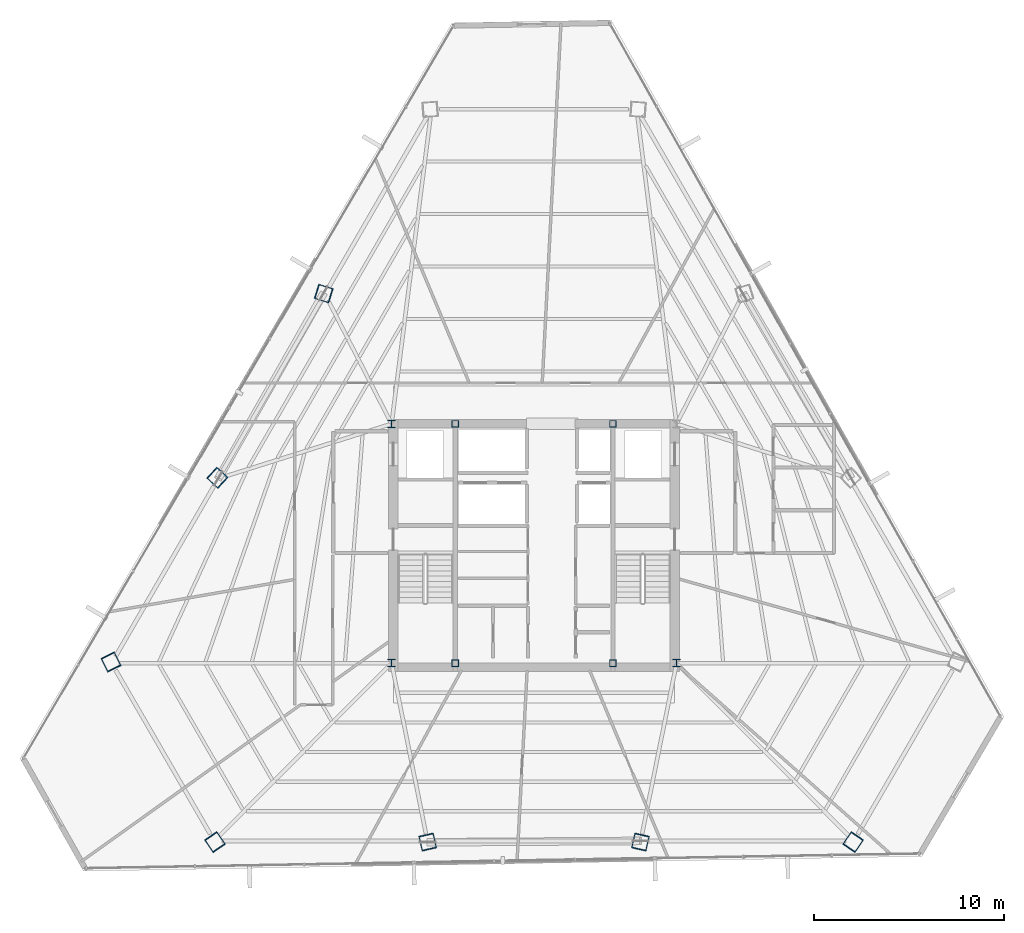
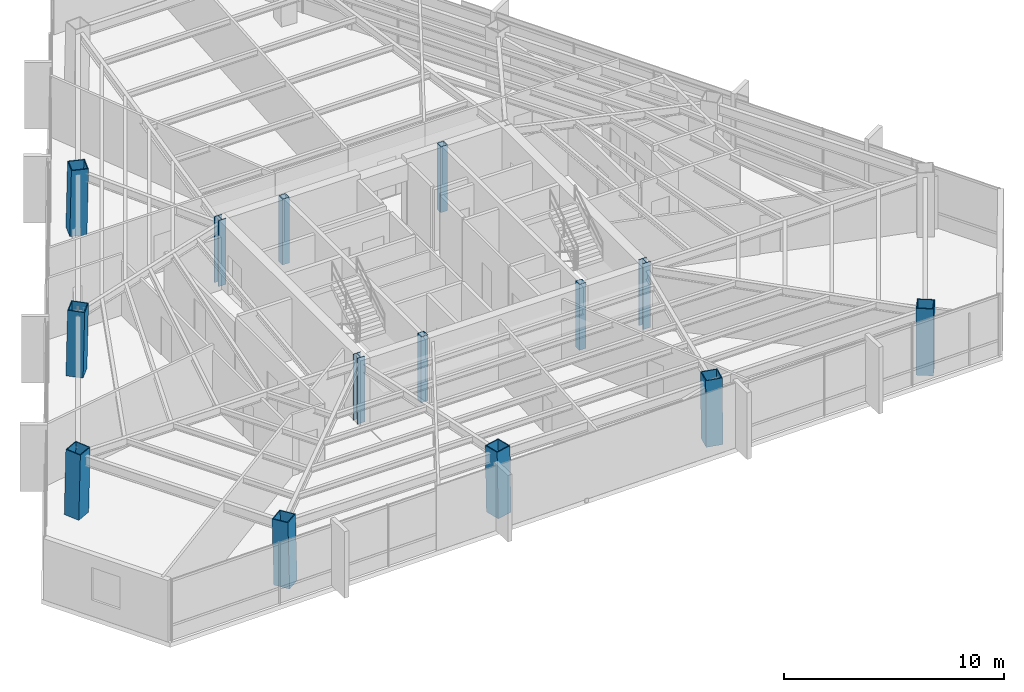
# One storey, part 1 of 42: 14 columns.
"""IFC4 building model written with IfcOpenShell, lengths in metres."""

from ifc_helpers import new_model, si_unit, direction, frame, origin, origin_2d, place, context, subcontext, project, spatial, hollow_rectangle, i_section, extrude, source, transform, mapped, material, material_profile, profile_set, type_object, type_shapes, element, save


model = new_model("IFC4")

# Units and contexts
model_context = context("Model", 3, precision=1e-05, world=origin(), true_north=direction((0.0, 1.0)))
body_context = subcontext(model_context, "Body", "Model", "MODEL_VIEW")
ifc_project = project(units=[si_unit("LENGTHUNIT", "METRE"), si_unit("AREAUNIT", "SQUARE_METRE"), si_unit("VOLUMEUNIT", "CUBIC_METRE"), si_unit("PLANEANGLEUNIT", "RADIAN"), si_unit("MASSUNIT", "GRAM", prefix="KILO")], contexts=[model_context])

# Site, building, storey
site_placement = place(None, origin())
site = spatial("IfcSite", under=ifc_project, at=site_placement, CompositionType="ELEMENT")
building_placement = place(site_placement, origin())
building = spatial("IfcBuilding", under=site, at=building_placement, Name="Caelisora Broadcast Tower", CompositionType="ELEMENT")
storey_placement = place(building_placement, frame((0.0, 0.0, 187.699951171875)))
storey = spatial("IfcBuildingStorey", under=building, at=storey_placement, Name="L49", CompositionType="ELEMENT", Elevation=187.699951171875)

# Columns
ifc_material_1 = material(Name="Steel Grade 350 (AS/NZS 3679.2)", Category="steel")
ifc_material_profile_1 = material_profile(ifc_material_1, i_section(OverallWidth=0.39990234375, OverallDepth=0.39990234375, WebThickness=0.02001953125, FlangeThickness=0.031982421875, at=origin_2d()), Name="Steel Grade 350 (AS/NZS 3679.2)")
ifc_profile_set_1 = profile_set([ifc_material_profile_1], Name="Steel Grade 350 (AS/NZS 3679.2)")
column_type_1 = type_object("IfcColumnType", Name="CC02", PredefinedType="COLUMN", material=ifc_profile_set_1)
shared_shape_1 = source(origin(), body_context, "Body", "SweptSolid", [
    extrude(i_section(OverallWidth=0.39990234375, OverallDepth=0.39990234375, WebThickness=0.02001953125, FlangeThickness=0.031982421875, at=origin_2d()), origin(), (0.0, 0.0, 1.0), 3.650146484375),
])
type_shapes(column_type_1, [shared_shape_1])
for number, where, z_axis, x_axis, name in (
    (1, (30.5, 17.39990234375, 0.0), (0.0, 0.0, 1.0), (1.0, 0.0, 0.0), "L49 column CC02"),
    (2, (45.5, 17.39990234375, 0.0), (0.0, 0.0, 1.0), (1.0, 0.0, 0.0), "L49 column CC02"),
    (3, (30.5, 30.0, 0.0), (0.0, 0.0, 1.0), (1.0, 0.0, 0.0), "L49 column CC02"),
):
    element("IfcColumn", number, at=place(storey_placement, frame(where, z_axis=z_axis, x_axis=x_axis)), inside=storey, type_object=column_type_1, Name=name, PredefinedType="COLUMN", context=body_context, shape_type="MappedRepresentation", body=[
        mapped(shared_shape_1, transform((0.0, 0.0, 0.0), scale=1.0)),
    ])
ifc_material_2 = material(Name="Steel Grade 350 L15 (AS/NZS 3678)", Category="steel")
ifc_material_profile_2 = material_profile(ifc_material_2, hollow_rectangle(XDim=0.800048828125, YDim=0.800048828125, WallThickness=0.044921875, at=origin_2d()), Name="Steel Grade 350 L15 (AS/NZS 3678)")
ifc_profile_set_2 = profile_set([ifc_material_profile_2], Name="Steel Grade 350 L15 (AS/NZS 3678)")
column_type_2 = type_object("IfcColumnType", Name="MC05", PredefinedType="COLUMN", material=ifc_profile_set_2)
shared_shape_2 = source(origin(), body_context, "Body", "SweptSolid", [
    extrude(hollow_rectangle(XDim=0.800048828125, YDim=0.800048828125, WallThickness=0.044921875, at=origin_2d()), origin(), (0.0, 0.0, 1.0), 3.65087890625),
])
for number, where, z_axis, x_axis, name in (
    (4, (26.916748046875, 36.86083984375, 0.0), (0.01939269685, -0.00601842316, 0.999793829693), (0.296399214872, 0.955064136811, 0.0), "L49 column MC05"),
    (5, (21.320556640625, 27.16796875, 0.0), (0.014912316331, -0.013775502979, 0.999793907933), (0.678553674548, 0.734550822447, 0.0), "L49 column MC05"),
    (6, (32.40380859375, 7.97119140625, 0.0), (-0.004480382638, 0.019793929266, 0.999794042058), (-0.975326687046, -0.220766513622, 0.0), "L49 column MC05"),
    (7, (43.59619140625, 7.97119140625, 0.0), (0.004480382638, 0.019793929266, 0.999794042058), (-0.975326687046, 0.220766513622, 0.0), "L49 column MC05"),
):
    element("IfcColumn", number, at=place(storey_placement, frame(where, z_axis=z_axis, x_axis=x_axis)), inside=storey, type_object=column_type_2, Name=name, PredefinedType="COLUMN", context=body_context, shape_type="MappedRepresentation", body=[
        mapped(shared_shape_2, transform((0.0, 0.0, 0.0), scale=1.0)),
    ])
ifc_material_3 = material(Name="Steel Grade 350 (AS/NZS 1163 C350L0)", Category="steel")
ifc_material_profile_3 = material_profile(ifc_material_3, hollow_rectangle(XDim=0.35009765625, YDim=0.35009765625, WallThickness=0.01611328125, at=origin_2d()), Name="Steel Grade 350 (AS/NZS 1163 C350L0)")
ifc_profile_set_3 = profile_set([ifc_material_profile_3], Name="Steel Grade 350 (AS/NZS 1163 C350L0)")
column_type_3 = type_object("IfcColumnType", Name="CC07", PredefinedType="COLUMN", material=ifc_profile_set_3)
shared_shape_3 = source(origin(), body_context, "Body", "SweptSolid", [
    extrude(hollow_rectangle(XDim=0.35009765625, YDim=0.35009765625, WallThickness=0.01611328125, at=origin_2d()), origin(), (0.0, 0.0, 1.0), 3.650146484375),
])
type_shapes(column_type_3, [shared_shape_3])
for number, where, z_axis, x_axis, name in (
    (8, (33.85009765625, 17.39990234375, 0.0), (0.0, 0.0, 1.0), (1.0, 0.0, 0.0), "L49 column CC07"),
    (9, (42.14990234375, 17.39990234375, 0.0), (0.0, 0.0, 1.0), (1.0, 0.0, 0.0), "L49 column CC07"),
    (10, (33.85009765625, 30.0, 0.0), (0.0, 0.0, 1.0), (1.0, 0.0, 0.0), "L49 column CC07"),
    (11, (42.14990234375, 30.0, 0.0), (0.0, 0.0, 1.0), (1.0, 0.0, 0.0), "L49 column CC07"),
):
    element("IfcColumn", number, at=place(storey_placement, frame(where, z_axis=z_axis, x_axis=x_axis)), inside=storey, type_object=column_type_3, Name=name, PredefinedType="COLUMN", context=body_context, shape_type="MappedRepresentation", body=[
        mapped(shared_shape_3, transform((0.0, 0.0, 0.0), scale=1.0)),
    ])
shared_shape_4 = source(origin(), body_context, "Body", "SweptSolid", [
    extrude(hollow_rectangle(XDim=0.800048828125, YDim=0.800048828125, WallThickness=0.044921875, at=origin_2d()), origin(), (0.0, 0.0, 1.0), 3.651123046875),
])
type_shapes(column_type_2, [shared_shape_2, shared_shape_4])
for number, where, z_axis, x_axis, name in (
    (12, (15.724365234375, 17.47509765625, 0.0), (0.010431098089, -0.021530856313, 0.999713766245), (0.899947055326, 0.435999194506, 0.0), "L49 column MC05"),
    (13, (21.21142578125, 7.97119140625, 0.0), (-0.013506922627, 0.019792322266, 0.999712872289), (-0.825991119814, -0.563683129062, 0.0), "L49 column MC05"),
    (14, (54.78857421875, 7.97119140625, 0.0), (0.013506922627, 0.019792322266, 0.999712872289), (-0.825991119814, 0.563683129062, 0.0), "L49 column MC05"),
):
    element("IfcColumn", number, at=place(storey_placement, frame(where, z_axis=z_axis, x_axis=x_axis)), inside=storey, type_object=column_type_2, Name=name, PredefinedType="COLUMN", context=body_context, shape_type="MappedRepresentation", body=[
        mapped(shared_shape_4, transform((0.0, 0.0, 0.0), scale=1.0)),
    ])

save(model, "model.ifc")
